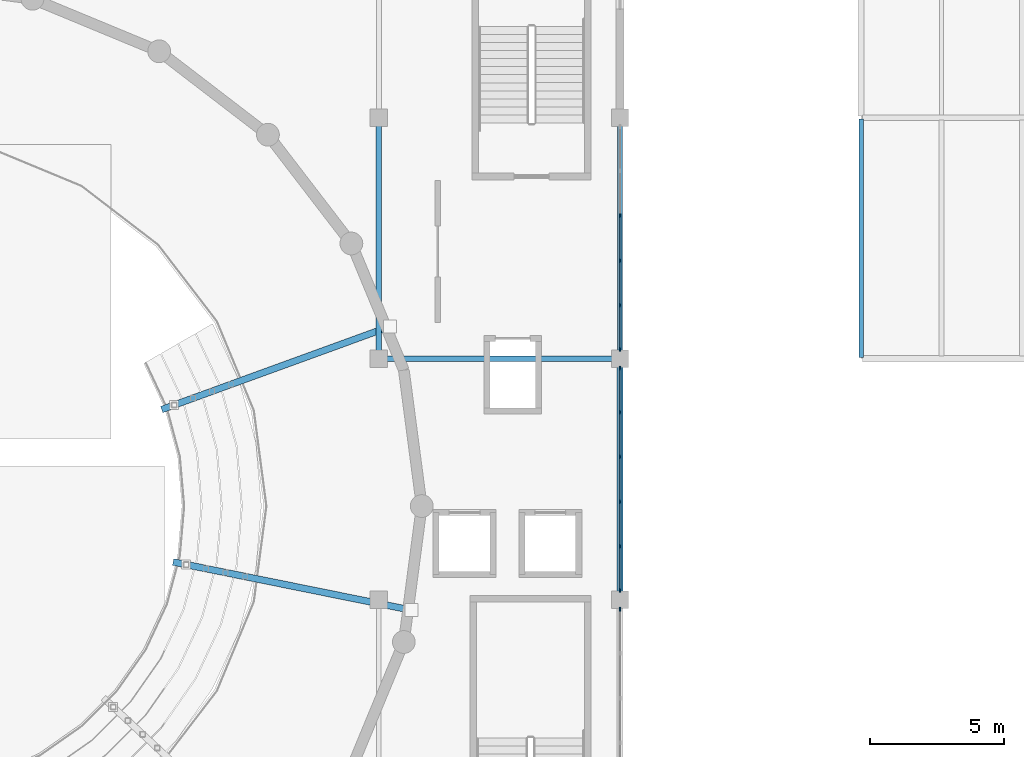
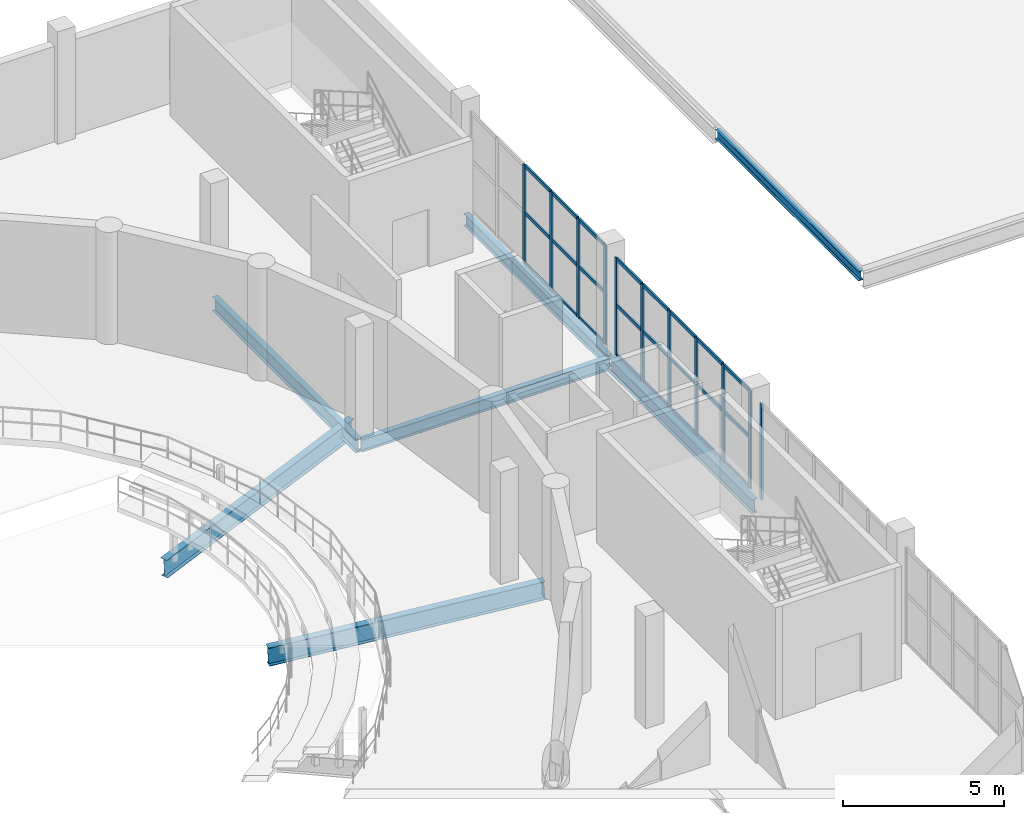
# One storey, part 22 of 54: 35 members, 7 beams, 3 elements without a shape of their own.
"""IFC4 building model written with IfcOpenShell, lengths in metres."""

from ifc_helpers import new_model, si_unit, direction, frame, origin, origin_2d, place, context, subcontext, project, spatial, rectangle, i_section, extrude, material, layer, layer_set, material_profile, profile_set, type_object, element, aggregate, save


model = new_model("IFC4")

# Units and contexts
model_context = context("Model", 3, precision=1e-05, world=origin(), true_north=direction((0.0, 1.0)))
body_context = subcontext(model_context, "Body", "Model", "MODEL_VIEW")
ifc_project = project(units=[si_unit("LENGTHUNIT", "METRE"), si_unit("AREAUNIT", "SQUARE_METRE"), si_unit("VOLUMEUNIT", "CUBIC_METRE"), si_unit("PLANEANGLEUNIT", "RADIAN"), si_unit("MASSUNIT", "GRAM", prefix="KILO")], contexts=[model_context])

# Site, building, storey
site_placement = place(None, origin())
site = spatial("IfcSite", under=ifc_project, at=site_placement, CompositionType="ELEMENT")
building_placement = place(site_placement, origin())
building = spatial("IfcBuilding", under=site, at=building_placement, Name="Marnock Terrace Opera House", CompositionType="ELEMENT")
storey_placement = place(building_placement, frame((0.0, 0.0, 19.199951171875)))
storey = spatial("IfcBuildingStorey", under=building, at=storey_placement, Name="L04", CompositionType="ELEMENT", Elevation=19.199951171875)

# Beams
ifc_material_1 = material(Name="Steel Grade 350 (AS/NZS 3679.1)", Category="steel")
ifc_material_profile_1 = material_profile(ifc_material_1, i_section(OverallWidth=0.1708984375, OverallDepth=0.355712890625, WebThickness=0.00732421875, FlangeThickness=0.011474609375, FilletRadius=0.011474609375, at=origin_2d()))
ifc_profile_set_1 = profile_set([ifc_material_profile_1], Name="Steel Grade 350 (AS/NZS 3679.1)")
beam_type_1 = type_object("IfcBeamType", Name="BM-GIRD-360", PredefinedType="BEAM", material=ifc_profile_set_1)
beam_1_placement = place(storey_placement, frame((118.0, 66.050048828125, -0.397705078125), z_axis=(0.0, 1.0, 0.0), x_axis=(-1.0, 0.0, 0.0)))
element("IfcBeam", 1, at=beam_1_placement, inside=storey, type_object=beam_type_1, Name="L04 girder (X=118.0, 66.0..75.0)", PredefinedType="BEAM", context=body_context, shape_type="SweptSolid", body=[
    extrude(i_section(OverallWidth=0.1708984375, OverallDepth=0.355712890625, WebThickness=0.00732421875, FlangeThickness=0.011474609375, FilletRadius=0.011474609375, at=origin_2d()), origin(), (0.0, 0.0, 1.0), 8.89990234375),
])
ifc_material_profile_2 = material_profile(ifc_material_1, i_section(OverallWidth=0.19091796875, OverallDepth=0.46044921875, WebThickness=0.010009765625, FlangeThickness=0.01611328125, FilletRadius=0.011474609375, at=origin_2d()))
ifc_profile_set_2 = profile_set([ifc_material_profile_2], Name="Steel Grade 350 (AS/NZS 3679.1)")
beam_type_2 = type_object("IfcBeamType", Name="BM-GIRD-460A", PredefinedType="BEAM", material=ifc_profile_set_2)
beam_2_placement = place(storey_placement, frame((100.050048828125, 66.0, -0.480224609375), z_axis=(1.0, 0.0, 0.0), x_axis=(0.0, 1.0, 0.0)))
element("IfcBeam", 2, at=beam_2_placement, inside=storey, type_object=beam_type_2, Name="L04 girder (100.0..109.0, Y=66.0)", PredefinedType="BEAM", context=body_context, shape_type="SweptSolid", body=[
    extrude(i_section(OverallWidth=0.19091796875, OverallDepth=0.46044921875, WebThickness=0.010009765625, FlangeThickness=0.01611328125, FilletRadius=0.011474609375, at=origin_2d()), origin(), (0.0, 0.0, 1.0), 8.89990234375),
])
ifc_material_profile_3 = material_profile(ifc_material_1, i_section(OverallWidth=0.18994140625, OverallDepth=0.45751953125, WebThickness=0.009033203125, FlangeThickness=0.014404296875, FilletRadius=0.011474609375, at=origin_2d()))
ifc_profile_set_3 = profile_set([ifc_material_profile_3], Name="Steel Grade 350 (AS/NZS 3679.1)")
beam_type_3 = type_object("IfcBeamType", Name="BM-GIRD-460B", PredefinedType="BEAM", material=ifc_profile_set_3)
beam_3_placement = place(storey_placement, frame((109.0, 66.050048828125, -0.478759765625), z_axis=(0.0, 1.0, 0.0), x_axis=(-1.0, 0.0, 0.0)))
element("IfcBeam", 3, at=beam_3_placement, inside=storey, type_object=beam_type_3, Name="L04 girder (X=109.0, 66.0..75.0)", PredefinedType="BEAM", context=body_context, shape_type="SweptSolid", body=[
    extrude(i_section(OverallWidth=0.18994140625, OverallDepth=0.45751953125, WebThickness=0.009033203125, FlangeThickness=0.014404296875, FilletRadius=0.011474609375, at=origin_2d()), origin(), (0.0, 0.0, 1.0), 8.89990234375),
])
ifc_material_profile_4 = material_profile(ifc_material_1, i_section(OverallWidth=0.208984375, OverallDepth=0.528076171875, WebThickness=0.009521484375, FlangeThickness=0.01318359375, FilletRadius=0.013916015625, at=origin_2d()))
ifc_profile_set_4 = profile_set([ifc_material_profile_4], Name="Steel Grade 350 (AS/NZS 3679.1)")
beam_type_4 = type_object("IfcBeamType", Name="BM-GIRD-530B", PredefinedType="BEAM", material=ifc_profile_set_4)
for number, where, z_axis, x_axis, name in (
    (4, (100.0, 66.050048828125, -0.513916015625), (0.0, 1.0, 0.0), (-1.0, 0.0, 0.0), "L04 girder (X=100.0, 66.0..75.0)"),
    (5, (109.0, 57.050048828125, -0.513916015625), (0.0, 1.0, 0.0), (-1.0, 0.0, 0.0), "L04 girder (X=109.0, 57.0..66.0)"),
):
    element("IfcBeam", number, at=place(storey_placement, frame(where, z_axis=z_axis, x_axis=x_axis)), inside=storey, type_object=beam_type_4, Name=name, PredefinedType="BEAM", context=body_context, shape_type="SweptSolid", body=[
        extrude(i_section(OverallWidth=0.208984375, OverallDepth=0.528076171875, WebThickness=0.009521484375, FlangeThickness=0.01318359375, FilletRadius=0.013916015625, at=origin_2d()), origin(), (0.0, 0.0, 1.0), 8.89990234375),
    ])
ifc_material_2 = material(Name="Steel Grade 350 Welded (AS/NZS 3679.2)", Category="steel")
ifc_material_profile_5 = material_profile(ifc_material_2, i_section(OverallWidth=0.25, OverallDepth=0.699951171875, WebThickness=0.011962890625, FlangeThickness=0.02001953125, at=origin_2d()))
ifc_profile_set_5 = profile_set([ifc_material_profile_5], Name="Steel Grade 350 Welded (AS/NZS 3679.2)")
beam_type_5 = type_object("IfcBeamType", Name="BM-RAKER-700", PredefinedType="BEAM", material=ifc_profile_set_5)
beam_4_placement = place(storey_placement, frame((92.3408203125, 58.40966796875, -1.14990234375), z_axis=(0.978614945489, -0.197856150976, 0.056264837924), x_axis=(0.198170076298, 0.980167649364, 0.0)))
element("IfcBeam", 6, at=beam_4_placement, inside=storey, type_object=beam_type_5, Name="L04 Auditorium raker girder 7", PredefinedType="BEAM", context=body_context, shape_type="SweptSolid", body=[
    extrude(i_section(OverallWidth=0.25, OverallDepth=0.699951171875, WebThickness=0.011962890625, FlangeThickness=0.02001953125, at=origin_2d()), origin(), (0.0, 0.0, 1.0), 9.064453125),
])
beam_5_placement = place(storey_placement, frame((91.913818359375, 64.1083984375, -1.14990234375), z_axis=(0.938205492565, 0.341474154817, 0.056265933855), x_axis=(-0.342015970523, 0.939694139551, 0.0)))
element("IfcBeam", 7, at=beam_5_placement, inside=storey, type_object=beam_type_5, Name="L04 Auditorium raker girder 8", PredefinedType="BEAM", context=body_context, shape_type="SweptSolid", body=[
    extrude(i_section(OverallWidth=0.25, OverallDepth=0.699951171875, WebThickness=0.011962890625, FlangeThickness=0.02001953125, at=origin_2d()), origin(), (0.0, 0.0, 1.0), 9.064208984375),
])

# Curtain wall, member
ifc_material_3 = material(Name="Anodised architectural bronze aluminium framing", Category="aluminium")
ifc_layer = layer(ifc_material_3, 0.159912109375)
ifc_layer_set = layer_set([ifc_layer], Name="Anodised architectural bronze aluminium framing")
curtain_wall_type = type_object("IfcCurtainWallType", Name="CW-DRUM-71x39", PredefinedType="NOTDEFINED", material=ifc_layer_set)
curtain_wall_1_placement = place(storey_placement, origin())
curtain_wall_1 = element("IfcCurtainWall", 8, at=curtain_wall_1_placement, inside=storey, type_object=curtain_wall_type, Name="L04 glazed Beaux-Arts colonnade curtain wall CW-L04-V1E2", PredefinedType="NOTDEFINED")
ifc_material_profile_6 = material_profile(ifc_material_3, rectangle(XDim=0.06005859375, YDim=0.14990234375, at=origin_2d()))
ifc_profile_set_6 = profile_set([ifc_material_profile_6], Name="Anodised architectural bronze aluminium framing")
member_type_1 = type_object("IfcMemberType", Name="CWM-60x150", PredefinedType="MULLION", material=ifc_profile_set_6)
member_1_placement = place(storey_placement, frame((109.0, 56.64892578125, 0.0), z_axis=(0.0, 0.0, 1.0), x_axis=(-1.0, 0.0, 0.0)))
member_1 = element("IfcMember", 9, at=member_1_placement, type_object=member_type_1, Name="CW-76 mullion 6", PredefinedType="MULLION", context=body_context, shape_type="SweptSolid", body=[
    extrude(rectangle(XDim=0.06005859375, YDim=0.14990234375, at=origin_2d()), origin(), (0.0, 0.0, 1.0), 3.6181640625),
])
aggregate(curtain_wall_1, [member_1])

# Curtain wall, members
curtain_wall_2_placement = place(storey_placement, origin())
curtain_wall_2 = element("IfcCurtainWall", 10, at=curtain_wall_2_placement, inside=storey, type_object=curtain_wall_type, Name="L04 glazed Beaux-Arts colonnade curtain wall CW-L04-V1E3", PredefinedType="NOTDEFINED")
member_2_placement = place(storey_placement, frame((109.0, 57.35107421875, 0.0), z_axis=(0.0, 0.0, 1.0), x_axis=(-1.0, 0.0, 0.0)))
member_2 = element("IfcMember", 11, at=member_2_placement, type_object=member_type_1, Name="CW-76 mullion 1", PredefinedType="MULLION", context=body_context, shape_type="SweptSolid", body=[
    extrude(rectangle(XDim=0.06005859375, YDim=0.14990234375, at=origin_2d()), origin(), (0.0, 0.0, 1.0), 3.692138671875),
])
member_3_placement = place(storey_placement, frame((109.0, 58.99267578125, 0.0), z_axis=(0.0, 0.0, 1.0), x_axis=(-1.0, 0.0, 0.0)))
member_3 = element("IfcMember", 12, at=member_3_placement, type_object=member_type_1, Name="CW-76 mullion 2", PredefinedType="MULLION", context=body_context, shape_type="SweptSolid", body=[
    extrude(rectangle(XDim=0.06005859375, YDim=0.14990234375, at=origin_2d()), origin(), (0.0, 0.0, 1.0), 3.692138671875),
])
member_4_placement = place(storey_placement, frame((109.0, 60.664306640625, 0.0), z_axis=(0.0, 0.0, 1.0), x_axis=(-1.0, 0.0, 0.0)))
member_4 = element("IfcMember", 13, at=member_4_placement, type_object=member_type_1, Name="CW-76 mullion 3", PredefinedType="MULLION", context=body_context, shape_type="SweptSolid", body=[
    extrude(rectangle(XDim=0.06005859375, YDim=0.14990234375, at=origin_2d()), origin(), (0.0, 0.0, 1.0), 3.692138671875),
])
member_5_placement = place(storey_placement, frame((109.0, 62.335693359375, 0.0), z_axis=(0.0, 0.0, 1.0), x_axis=(-1.0, 0.0, 0.0)))
member_5 = element("IfcMember", 14, at=member_5_placement, type_object=member_type_1, Name="CW-76 mullion 4", PredefinedType="MULLION", context=body_context, shape_type="SweptSolid", body=[
    extrude(rectangle(XDim=0.06005859375, YDim=0.14990234375, at=origin_2d()), origin(), (0.0, 0.0, 1.0), 3.692138671875),
])
member_6_placement = place(storey_placement, frame((109.0, 64.00732421875, 0.0), z_axis=(0.0, 0.0, 1.0), x_axis=(-1.0, 0.0, 0.0)))
member_6 = element("IfcMember", 15, at=member_6_placement, type_object=member_type_1, Name="CW-76 mullion 5", PredefinedType="MULLION", context=body_context, shape_type="SweptSolid", body=[
    extrude(rectangle(XDim=0.06005859375, YDim=0.14990234375, at=origin_2d()), origin(), (0.0, 0.0, 1.0), 3.692138671875),
])
member_7_placement = place(storey_placement, frame((109.0, 65.64892578125, 0.0), z_axis=(0.0, 0.0, 1.0), x_axis=(-1.0, 0.0, 0.0)))
member_7 = element("IfcMember", 16, at=member_7_placement, type_object=member_type_1, Name="CW-76 mullion 6", PredefinedType="MULLION", context=body_context, shape_type="SweptSolid", body=[
    extrude(rectangle(XDim=0.06005859375, YDim=0.14990234375, at=origin_2d()), origin(), (0.0, 0.0, 1.0), 3.692138671875),
])

curtain_wall_3_placement = place(storey_placement, origin())
curtain_wall_3 = element("IfcCurtainWall", 17, at=curtain_wall_3_placement, inside=storey, type_object=curtain_wall_type, Name="L04 glazed Beaux-Arts colonnade curtain wall CW-L04-V1E4", PredefinedType="NOTDEFINED")
member_8_placement = place(storey_placement, frame((109.0, 66.35107421875, 0.0), z_axis=(0.0, 0.0, 1.0), x_axis=(-1.0, 0.0, 0.0)))
member_8 = element("IfcMember", 18, at=member_8_placement, type_object=member_type_1, Name="CW-76 mullion 1", PredefinedType="MULLION", context=body_context, shape_type="SweptSolid", body=[
    extrude(rectangle(XDim=0.06005859375, YDim=0.14990234375, at=origin_2d()), origin(), (0.0, 0.0, 1.0), 3.7626953125),
])
member_9_placement = place(storey_placement, frame((109.0, 67.99267578125, 0.0), z_axis=(0.0, 0.0, 1.0), x_axis=(-1.0, 0.0, 0.0)))
member_9 = element("IfcMember", 19, at=member_9_placement, type_object=member_type_1, Name="CW-76 mullion 2", PredefinedType="MULLION", context=body_context, shape_type="SweptSolid", body=[
    extrude(rectangle(XDim=0.06005859375, YDim=0.14990234375, at=origin_2d()), origin(), (0.0, 0.0, 1.0), 3.7626953125),
])
member_10_placement = place(storey_placement, frame((109.0, 69.664306640625, 0.0), z_axis=(0.0, 0.0, 1.0), x_axis=(-1.0, 0.0, 0.0)))
member_10 = element("IfcMember", 20, at=member_10_placement, type_object=member_type_1, Name="CW-76 mullion 3", PredefinedType="MULLION", context=body_context, shape_type="SweptSolid", body=[
    extrude(rectangle(XDim=0.06005859375, YDim=0.14990234375, at=origin_2d()), origin(), (0.0, 0.0, 1.0), 3.7626953125),
])
member_11_placement = place(storey_placement, frame((109.0, 71.335693359375, 0.0), z_axis=(0.0, 0.0, 1.0), x_axis=(-1.0, 0.0, 0.0)))
member_11 = element("IfcMember", 21, at=member_11_placement, type_object=member_type_1, Name="CW-76 mullion 4", PredefinedType="MULLION", context=body_context, shape_type="SweptSolid", body=[
    extrude(rectangle(XDim=0.06005859375, YDim=0.14990234375, at=origin_2d()), origin(), (0.0, 0.0, 1.0), 3.7626953125),
])

# Member
ifc_material_profile_7 = material_profile(ifc_material_3, rectangle(XDim=0.06005859375, YDim=0.1298828125, at=origin_2d()))
ifc_profile_set_7 = profile_set([ifc_material_profile_7], Name="Anodised architectural bronze aluminium framing")
member_type_2 = type_object("IfcMemberType", Name="CWT-60x130", PredefinedType="USERDEFINED", material=ifc_profile_set_7)
member_12_placement = place(storey_placement, frame((109.0, 57.381103515625, 0.030029296875), z_axis=(0.0, 1.0, 0.0), x_axis=(-1.0, 0.0, 0.0)))
member_12 = element("IfcMember", 22, at=member_12_placement, type_object=member_type_2, Name="CW-76 transom 1.1", ObjectType="TRANSOM", PredefinedType="USERDEFINED", context=body_context, shape_type="SweptSolid", body=[
    extrude(rectangle(XDim=0.06005859375, YDim=0.1298828125, at=origin_2d()), origin(), (0.0, 0.0, 1.0), 1.58154296875),
])

member_13_placement = place(storey_placement, frame((109.0, 57.381103515625, 1.919921875), z_axis=(0.0, 1.0, 0.0), x_axis=(-1.0, 0.0, 0.0)))
member_13 = element("IfcMember", 23, at=member_13_placement, type_object=member_type_2, Name="CW-76 transom 1.2", ObjectType="TRANSOM", PredefinedType="USERDEFINED", context=body_context, shape_type="SweptSolid", body=[
    extrude(rectangle(XDim=0.06005859375, YDim=0.1298828125, at=origin_2d()), origin(), (0.0, 0.0, 1.0), 1.58154296875),
])

member_14_placement = place(storey_placement, frame((109.0, 57.381103515625, 3.662109375), z_axis=(0.0, 1.0, 0.0), x_axis=(-1.0, 0.0, 0.0)))
member_14 = element("IfcMember", 24, at=member_14_placement, type_object=member_type_2, Name="CW-76 transom 1.3", ObjectType="TRANSOM", PredefinedType="USERDEFINED", context=body_context, shape_type="SweptSolid", body=[
    extrude(rectangle(XDim=0.06005859375, YDim=0.1298828125, at=origin_2d()), origin(), (0.0, 0.0, 1.0), 1.58154296875),
])

member_15_placement = place(storey_placement, frame((109.0, 59.022705078125, 0.030029296875), z_axis=(0.0, 1.0, 0.0), x_axis=(-1.0, 0.0, 0.0)))
member_15 = element("IfcMember", 25, at=member_15_placement, type_object=member_type_2, Name="CW-76 transom 2.1", ObjectType="TRANSOM", PredefinedType="USERDEFINED", context=body_context, shape_type="SweptSolid", body=[
    extrude(rectangle(XDim=0.06005859375, YDim=0.1298828125, at=origin_2d()), origin(), (0.0, 0.0, 1.0), 1.611572265625),
])

member_16_placement = place(storey_placement, frame((109.0, 59.022705078125, 1.919921875), z_axis=(0.0, 1.0, 0.0), x_axis=(-1.0, 0.0, 0.0)))
member_16 = element("IfcMember", 26, at=member_16_placement, type_object=member_type_2, Name="CW-76 transom 2.2", ObjectType="TRANSOM", PredefinedType="USERDEFINED", context=body_context, shape_type="SweptSolid", body=[
    extrude(rectangle(XDim=0.06005859375, YDim=0.1298828125, at=origin_2d()), origin(), (0.0, 0.0, 1.0), 1.611572265625),
])

member_17_placement = place(storey_placement, frame((109.0, 59.022705078125, 3.662109375), z_axis=(0.0, 1.0, 0.0), x_axis=(-1.0, 0.0, 0.0)))
member_17 = element("IfcMember", 27, at=member_17_placement, type_object=member_type_2, Name="CW-76 transom 2.3", ObjectType="TRANSOM", PredefinedType="USERDEFINED", context=body_context, shape_type="SweptSolid", body=[
    extrude(rectangle(XDim=0.06005859375, YDim=0.1298828125, at=origin_2d()), origin(), (0.0, 0.0, 1.0), 1.611572265625),
])

member_18_placement = place(storey_placement, frame((109.0, 60.694091796875, 0.030029296875), z_axis=(0.0, 1.0, 0.0), x_axis=(-1.0, 0.0, 0.0)))
member_18 = element("IfcMember", 28, at=member_18_placement, type_object=member_type_2, Name="CW-76 transom 3.1", ObjectType="TRANSOM", PredefinedType="USERDEFINED", context=body_context, shape_type="SweptSolid", body=[
    extrude(rectangle(XDim=0.06005859375, YDim=0.1298828125, at=origin_2d()), origin(), (0.0, 0.0, 1.0), 1.61181640625),
])

member_19_placement = place(storey_placement, frame((109.0, 60.694091796875, 1.919921875), z_axis=(0.0, 1.0, 0.0), x_axis=(-1.0, 0.0, 0.0)))
member_19 = element("IfcMember", 29, at=member_19_placement, type_object=member_type_2, Name="CW-76 transom 3.2", ObjectType="TRANSOM", PredefinedType="USERDEFINED", context=body_context, shape_type="SweptSolid", body=[
    extrude(rectangle(XDim=0.06005859375, YDim=0.1298828125, at=origin_2d()), origin(), (0.0, 0.0, 1.0), 1.61181640625),
])

member_20_placement = place(storey_placement, frame((109.0, 60.694091796875, 3.662109375), z_axis=(0.0, 1.0, 0.0), x_axis=(-1.0, 0.0, 0.0)))
member_20 = element("IfcMember", 30, at=member_20_placement, type_object=member_type_2, Name="CW-76 transom 3.3", ObjectType="TRANSOM", PredefinedType="USERDEFINED", context=body_context, shape_type="SweptSolid", body=[
    extrude(rectangle(XDim=0.06005859375, YDim=0.1298828125, at=origin_2d()), origin(), (0.0, 0.0, 1.0), 1.61181640625),
])

member_21_placement = place(storey_placement, frame((109.0, 62.36572265625, 0.030029296875), z_axis=(0.0, 1.0, 0.0), x_axis=(-1.0, 0.0, 0.0)))
member_21 = element("IfcMember", 31, at=member_21_placement, type_object=member_type_2, Name="CW-76 transom 4.1", ObjectType="TRANSOM", PredefinedType="USERDEFINED", context=body_context, shape_type="SweptSolid", body=[
    extrude(rectangle(XDim=0.06005859375, YDim=0.1298828125, at=origin_2d()), origin(), (0.0, 0.0, 1.0), 1.611572265625),
])

member_22_placement = place(storey_placement, frame((109.0, 62.36572265625, 1.919921875), z_axis=(0.0, 1.0, 0.0), x_axis=(-1.0, 0.0, 0.0)))
member_22 = element("IfcMember", 32, at=member_22_placement, type_object=member_type_2, Name="CW-76 transom 4.2", ObjectType="TRANSOM", PredefinedType="USERDEFINED", context=body_context, shape_type="SweptSolid", body=[
    extrude(rectangle(XDim=0.06005859375, YDim=0.1298828125, at=origin_2d()), origin(), (0.0, 0.0, 1.0), 1.611572265625),
])

member_23_placement = place(storey_placement, frame((109.0, 62.36572265625, 3.662109375), z_axis=(0.0, 1.0, 0.0), x_axis=(-1.0, 0.0, 0.0)))
member_23 = element("IfcMember", 33, at=member_23_placement, type_object=member_type_2, Name="CW-76 transom 4.3", ObjectType="TRANSOM", PredefinedType="USERDEFINED", context=body_context, shape_type="SweptSolid", body=[
    extrude(rectangle(XDim=0.06005859375, YDim=0.1298828125, at=origin_2d()), origin(), (0.0, 0.0, 1.0), 1.611572265625),
])

member_24_placement = place(storey_placement, frame((109.0, 64.037353515625, 0.030029296875), z_axis=(0.0, 1.0, 0.0), x_axis=(-1.0, 0.0, 0.0)))
member_24 = element("IfcMember", 34, at=member_24_placement, type_object=member_type_2, Name="CW-76 transom 5.1", ObjectType="TRANSOM", PredefinedType="USERDEFINED", context=body_context, shape_type="SweptSolid", body=[
    extrude(rectangle(XDim=0.06005859375, YDim=0.1298828125, at=origin_2d()), origin(), (0.0, 0.0, 1.0), 1.58154296875),
])

member_25_placement = place(storey_placement, frame((109.0, 64.037353515625, 1.919921875), z_axis=(0.0, 1.0, 0.0), x_axis=(-1.0, 0.0, 0.0)))
member_25 = element("IfcMember", 35, at=member_25_placement, type_object=member_type_2, Name="CW-76 transom 5.2", ObjectType="TRANSOM", PredefinedType="USERDEFINED", context=body_context, shape_type="SweptSolid", body=[
    extrude(rectangle(XDim=0.06005859375, YDim=0.1298828125, at=origin_2d()), origin(), (0.0, 0.0, 1.0), 1.58154296875),
])

member_26_placement = place(storey_placement, frame((109.0, 64.037353515625, 3.662109375), z_axis=(0.0, 1.0, 0.0), x_axis=(-1.0, 0.0, 0.0)))
member_26 = element("IfcMember", 36, at=member_26_placement, type_object=member_type_2, Name="CW-76 transom 5.3", ObjectType="TRANSOM", PredefinedType="USERDEFINED", context=body_context, shape_type="SweptSolid", body=[
    extrude(rectangle(XDim=0.06005859375, YDim=0.1298828125, at=origin_2d()), origin(), (0.0, 0.0, 1.0), 1.58154296875),
])

aggregate(curtain_wall_2, [member_2, member_3, member_4, member_5, member_6, member_7, member_12, member_13, member_14, member_15, member_16, member_17, member_18, member_19, member_20, member_21, member_22, member_23, member_24, member_25, member_26])

member_27_placement = place(storey_placement, frame((109.0, 66.381103515625, 0.030029296875), z_axis=(0.0, 1.0, 0.0), x_axis=(-1.0, 0.0, 0.0)))
member_27 = element("IfcMember", 37, at=member_27_placement, type_object=member_type_2, Name="CW-76 transom 1.1", ObjectType="TRANSOM", PredefinedType="USERDEFINED", context=body_context, shape_type="SweptSolid", body=[
    extrude(rectangle(XDim=0.06005859375, YDim=0.1298828125, at=origin_2d()), origin(), (0.0, 0.0, 1.0), 1.58154296875),
])

member_28_placement = place(storey_placement, frame((109.0, 66.381103515625, 1.95654296875), z_axis=(0.0, 1.0, 0.0), x_axis=(-1.0, 0.0, 0.0)))
member_28 = element("IfcMember", 38, at=member_28_placement, type_object=member_type_2, Name="CW-76 transom 1.2", ObjectType="TRANSOM", PredefinedType="USERDEFINED", context=body_context, shape_type="SweptSolid", body=[
    extrude(rectangle(XDim=0.06005859375, YDim=0.1298828125, at=origin_2d()), origin(), (0.0, 0.0, 1.0), 1.58154296875),
])

member_29_placement = place(storey_placement, frame((109.0, 66.381103515625, 3.732666015625), z_axis=(0.0, 1.0, 0.0), x_axis=(-1.0, 0.0, 0.0)))
member_29 = element("IfcMember", 39, at=member_29_placement, type_object=member_type_2, Name="CW-76 transom 1.3", ObjectType="TRANSOM", PredefinedType="USERDEFINED", context=body_context, shape_type="SweptSolid", body=[
    extrude(rectangle(XDim=0.06005859375, YDim=0.1298828125, at=origin_2d()), origin(), (0.0, 0.0, 1.0), 1.58154296875),
])

member_30_placement = place(storey_placement, frame((109.0, 68.022705078125, 0.030029296875), z_axis=(0.0, 1.0, 0.0), x_axis=(-1.0, 0.0, 0.0)))
member_30 = element("IfcMember", 40, at=member_30_placement, type_object=member_type_2, Name="CW-76 transom 2.1", ObjectType="TRANSOM", PredefinedType="USERDEFINED", context=body_context, shape_type="SweptSolid", body=[
    extrude(rectangle(XDim=0.06005859375, YDim=0.1298828125, at=origin_2d()), origin(), (0.0, 0.0, 1.0), 1.611572265625),
])

member_31_placement = place(storey_placement, frame((109.0, 68.022705078125, 1.95654296875), z_axis=(0.0, 1.0, 0.0), x_axis=(-1.0, 0.0, 0.0)))
member_31 = element("IfcMember", 41, at=member_31_placement, type_object=member_type_2, Name="CW-76 transom 2.2", ObjectType="TRANSOM", PredefinedType="USERDEFINED", context=body_context, shape_type="SweptSolid", body=[
    extrude(rectangle(XDim=0.06005859375, YDim=0.1298828125, at=origin_2d()), origin(), (0.0, 0.0, 1.0), 1.611572265625),
])

member_32_placement = place(storey_placement, frame((109.0, 68.022705078125, 3.732666015625), z_axis=(0.0, 1.0, 0.0), x_axis=(-1.0, 0.0, 0.0)))
member_32 = element("IfcMember", 42, at=member_32_placement, type_object=member_type_2, Name="CW-76 transom 2.3", ObjectType="TRANSOM", PredefinedType="USERDEFINED", context=body_context, shape_type="SweptSolid", body=[
    extrude(rectangle(XDim=0.06005859375, YDim=0.1298828125, at=origin_2d()), origin(), (0.0, 0.0, 1.0), 1.611572265625),
])

member_33_placement = place(storey_placement, frame((109.0, 69.694091796875, 0.030029296875), z_axis=(0.0, 1.0, 0.0), x_axis=(-1.0, 0.0, 0.0)))
member_33 = element("IfcMember", 43, at=member_33_placement, type_object=member_type_2, Name="CW-76 transom 3.1", ObjectType="TRANSOM", PredefinedType="USERDEFINED", context=body_context, shape_type="SweptSolid", body=[
    extrude(rectangle(XDim=0.06005859375, YDim=0.1298828125, at=origin_2d()), origin(), (0.0, 0.0, 1.0), 1.61181640625),
])

member_34_placement = place(storey_placement, frame((109.0, 69.694091796875, 1.95654296875), z_axis=(0.0, 1.0, 0.0), x_axis=(-1.0, 0.0, 0.0)))
member_34 = element("IfcMember", 44, at=member_34_placement, type_object=member_type_2, Name="CW-76 transom 3.2", ObjectType="TRANSOM", PredefinedType="USERDEFINED", context=body_context, shape_type="SweptSolid", body=[
    extrude(rectangle(XDim=0.06005859375, YDim=0.1298828125, at=origin_2d()), origin(), (0.0, 0.0, 1.0), 1.61181640625),
])

member_35_placement = place(storey_placement, frame((109.0, 69.694091796875, 3.732666015625), z_axis=(0.0, 1.0, 0.0), x_axis=(-1.0, 0.0, 0.0)))
member_35 = element("IfcMember", 45, at=member_35_placement, type_object=member_type_2, Name="CW-76 transom 3.3", ObjectType="TRANSOM", PredefinedType="USERDEFINED", context=body_context, shape_type="SweptSolid", body=[
    extrude(rectangle(XDim=0.06005859375, YDim=0.1298828125, at=origin_2d()), origin(), (0.0, 0.0, 1.0), 1.61181640625),
])

aggregate(curtain_wall_3, [member_8, member_9, member_10, member_11, member_27, member_28, member_29, member_30, member_31, member_32, member_33, member_34, member_35])

save(model, "model.ifc")
